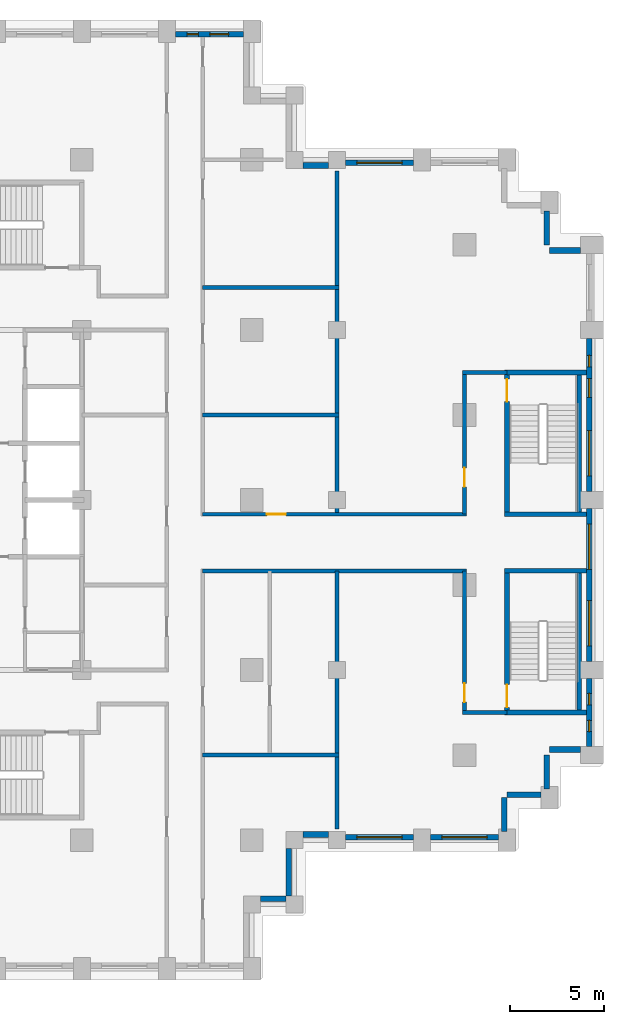
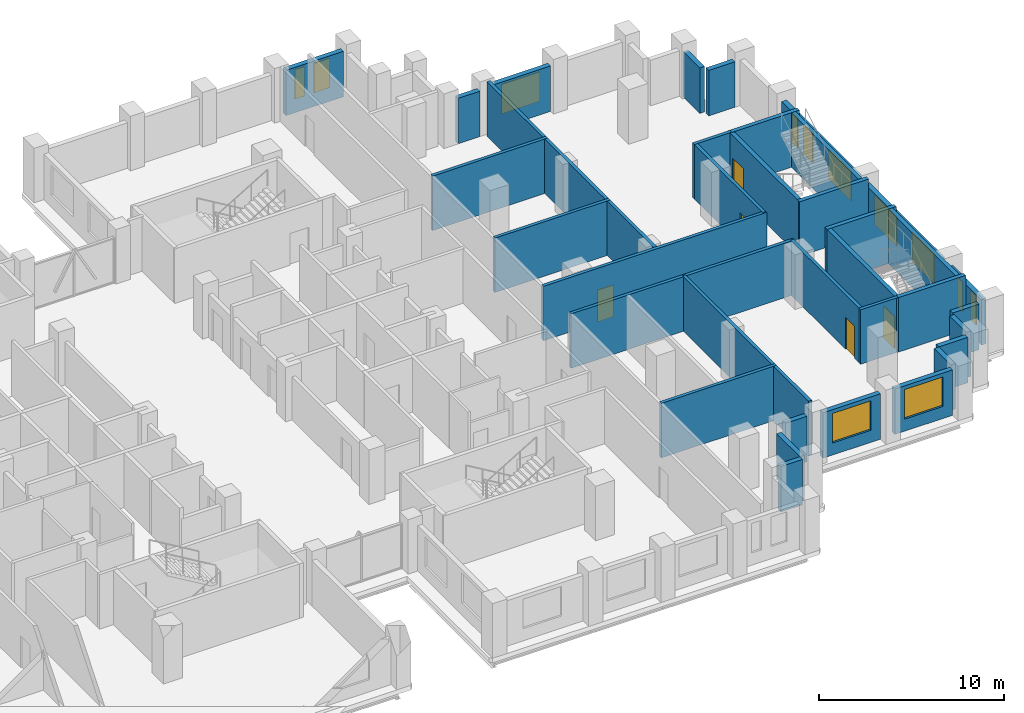
# One storey, part 12 of 16: 36 walls, 12 windows, 5 doors, 17 openings.
"""IFC4 building model written with IfcOpenShell, lengths in metres."""

from ifc_helpers import new_model, si_unit, direction, frame, frame_2d, origin, place, context, subcontext, project, spatial, rectangle, extrude, material, layer, layer_set, type_object, element, fill, save


model = new_model("IFC4")

# Units and contexts
model_context = context("Model", 3, precision=1e-05, world=origin(), true_north=direction((0.0, 1.0)))
body_context = subcontext(model_context, "Body", "Model", "MODEL_VIEW")
ifc_project = project(units=[si_unit("LENGTHUNIT", "METRE"), si_unit("AREAUNIT", "SQUARE_METRE"), si_unit("VOLUMEUNIT", "CUBIC_METRE"), si_unit("PLANEANGLEUNIT", "RADIAN"), si_unit("MASSUNIT", "GRAM", prefix="KILO")], contexts=[model_context])

# Site, building, storey
site_placement = place(None, origin())
site = spatial("IfcSite", under=ifc_project, at=site_placement, CompositionType="ELEMENT")
building_placement = place(site_placement, origin())
building = spatial("IfcBuilding", under=site, at=building_placement, Name="Corbelhall Arena Tower", CompositionType="ELEMENT")
storey_placement = place(building_placement, frame((0.0, 0.0, 116.0)))
storey = spatial("IfcBuildingStorey", under=building, at=storey_placement, Name="L21", CompositionType="ELEMENT", Elevation=116.0)

# Walls
ifc_material_1 = material(Name="Precast concrete C40/50 with granite facing", Category="masonry")
ifc_layer_1 = layer(ifc_material_1, 0.300048828125)
ifc_layer_set_1 = layer_set([ifc_layer_1], Name="EV-IW1 Infill panel 300")
wall_type_1 = type_object("IfcWallType", Name="EV-IW1 Infill panel 300", PredefinedType="SOLIDWALL", material=ifc_layer_set_1)
for number, where, z_axis, x_axis, name in (
    (1, (35.85009765625, -17.550048828125, 0.0), (0.0, 0.0, 1.0), (0.0, 1.0, 0.0), "Infill panel IW1"),
    (2, (37.800048828125, -15.60009765625, 0.0), (0.0, 0.0, 1.0), (-1.0, 0.0, 0.0), "Infill panel IW1"),
    (3, (38.10009765625, -15.300048828125, 0.0), (0.0, 0.0, 1.0), (0.0, 1.0, 0.0), "Infill panel IW1"),
):
    element("IfcWall", number, at=place(storey_placement, frame(where, z_axis=z_axis, x_axis=x_axis)), inside=storey, type_object=wall_type_1, Name=name, PredefinedType="SOLIDWALL", context=body_context, shape_type="SweptSolid", body=[
        extrude(rectangle(XDim=1.800048828125, YDim=0.300048828125, at=frame_2d((0.89990234375, 0.0))), origin(), (0.0, 0.0, 1.0), 2.99951171875),
    ])
for number, where, z_axis, x_axis, name in (
    (4, (39.89990234375, -13.199951171875, 0.0), (0.0, 0.0, 1.0), (-1.0, 0.0, 0.0), "Infill panel IW1"),
    (5, (39.89990234375, 13.199951171875, 0.0), (0.0, 0.0, 1.0), (-1.0, 0.0, 0.0), "Infill panel IW1"),
):
    element("IfcWall", number, at=place(storey_placement, frame(where, z_axis=z_axis, x_axis=x_axis)), inside=storey, type_object=wall_type_1, Name=name, PredefinedType="SOLIDWALL", context=body_context, shape_type="SweptSolid", body=[
        extrude(rectangle(XDim=1.64990234375, YDim=0.300048828125, at=frame_2d((0.824951171875, 0.0))), origin(), (0.0, 0.0, 1.0), 2.99951171875),
    ])
wall_1_placement = place(storey_placement, frame((38.10009765625, 15.300048828125, 0.0), z_axis=(0.0, 0.0, 1.0), x_axis=(0.0, -1.0, 0.0)))
element("IfcWall", 6, at=wall_1_placement, inside=storey, type_object=wall_type_1, Name="Infill panel IW1", PredefinedType="SOLIDWALL", context=body_context, shape_type="SweptSolid", body=[
    extrude(rectangle(XDim=1.800048828125, YDim=0.300048828125, at=frame_2d((0.89990234375, 0.0))), origin(), (0.0, 0.0, 1.0), 2.99951171875),
])
wall_2_placement = place(storey_placement, frame((22.949951171875, -21.10009765625, 0.0), z_axis=(0.0, 0.0, 1.0), x_axis=(1.0, 0.0, 0.0)))
element("IfcWall", 7, at=wall_2_placement, inside=storey, type_object=wall_type_1, Name="Infill panel IW1", PredefinedType="SOLIDWALL", context=body_context, shape_type="SweptSolid", body=[
    extrude(rectangle(XDim=1.35009765625, YDim=0.300048828125, at=frame_2d((0.675048828125, 0.0))), origin(), (0.0, 0.0, 1.0), 2.99951171875),
])
wall_3_placement = place(storey_placement, frame((24.449951171875, -20.949951171875, 0.0), z_axis=(0.0, 0.0, 1.0), x_axis=(0.0, 1.0, 0.0)))
element("IfcWall", 8, at=wall_3_placement, inside=storey, type_object=wall_type_1, Name="Infill panel IW1", PredefinedType="SOLIDWALL", context=body_context, shape_type="SweptSolid", body=[
    extrude(rectangle(XDim=2.5, YDim=0.300048828125, at=frame_2d((1.25, 0.0))), origin(), (0.0, 0.0, 1.0), 2.99951171875),
])
wall_4_placement = place(storey_placement, frame((25.199951171875, -17.699951171875, 0.0), z_axis=(0.0, 0.0, 1.0), x_axis=(1.0, 0.0, 0.0)))
element("IfcWall", 9, at=wall_4_placement, inside=storey, type_object=wall_type_1, Name="Infill panel IW1", PredefinedType="SOLIDWALL", context=body_context, shape_type="SweptSolid", body=[
    extrude(rectangle(XDim=1.35009765625, YDim=0.300048828125, at=frame_2d((0.675048828125, 0.0))), origin(), (0.0, 0.0, 1.0), 2.99951171875),
])

# Wall, opening, window
wall_5_placement = place(storey_placement, frame((27.449951171875, -17.85009765625, 0.0), z_axis=(0.0, 0.0, 1.0), x_axis=(1.0, 0.0, 0.0)))
wall_5 = element("IfcWall", 10, at=wall_5_placement, inside=storey, type_object=wall_type_1, Name="Infill panel IW1", PredefinedType="SOLIDWALL", context=body_context, shape_type="SweptSolid", body=[
    extrude(rectangle(XDim=3.60009765625, YDim=0.300048828125, at=frame_2d((1.800048828125, 0.0))), origin(), (0.0, 0.0, 1.0), 2.99951171875),
])
opening_1_placement = place(wall_5_placement, frame((0.60009765625, 0.0, 0.800048828125)))
opening_1 = element("IfcOpeningElement", 11, at=opening_1_placement, cuts=wall_5, Name="Opening WN1", PredefinedType="OPENING", context=body_context, shape_type="SweptSolid", body=[
    extrude(rectangle(XDim=2.39990234375, YDim=1.949951171875, at=frame_2d((1.199951171875, 0.97509765625))), frame((0.0, 0.14990234375, 0.0), z_axis=(0.0, -1.0, 0.0), x_axis=(1.0, 0.0, 0.0)), (0.0, 0.0, 1.0), 0.300048828125),
])
ifc_material_2 = material(Name="Aluminium black anodised", Category="aluminium")
window_type_1 = type_object("IfcWindowType", Name="EV-WN1 Office window", PartitioningType="SINGLE_PANEL", PredefinedType="WINDOW", material=ifc_material_2)
window_1_placement = place(opening_1_placement, origin())
window_1 = element("IfcWindow", 12, at=window_1_placement, inside=storey, type_object=window_type_1, Name="Window WN1", OverallHeight=1.949951171875, OverallWidth=2.39990234375, PartitioningType="SINGLE_PANEL", PredefinedType="WINDOW", context=body_context, shape_type="SweptSolid", body=[
    extrude(rectangle(XDim=2.39990234375, YDim=1.949951171875, at=frame_2d((1.199951171875, 0.97509765625))), frame((0.0, 0.030029296875, 0.0), z_axis=(0.0, -1.0, 0.0), x_axis=(1.0, 0.0, 0.0)), (0.0, 0.0, 1.0), 0.06005859375),
])
fill(opening_1, window_1)

wall_6_placement = place(storey_placement, frame((31.949951171875, -17.85009765625, 0.0), z_axis=(0.0, 0.0, 1.0), x_axis=(1.0, 0.0, 0.0)))
wall_6 = element("IfcWall", 13, at=wall_6_placement, inside=storey, type_object=wall_type_1, Name="Infill panel IW1", PredefinedType="SOLIDWALL", context=body_context, shape_type="SweptSolid", body=[
    extrude(rectangle(XDim=3.60009765625, YDim=0.300048828125, at=frame_2d((1.800048828125, 0.0))), origin(), (0.0, 0.0, 1.0), 2.99951171875),
])
opening_2_placement = place(wall_6_placement, frame((0.60009765625, 0.0, 0.800048828125)))
opening_2 = element("IfcOpeningElement", 14, at=opening_2_placement, cuts=wall_6, Name="Opening WN1", PredefinedType="OPENING", context=body_context, shape_type="SweptSolid", body=[
    extrude(rectangle(XDim=2.39990234375, YDim=1.949951171875, at=frame_2d((1.199951171875, 0.97509765625))), frame((0.0, 0.14990234375, 0.0), z_axis=(0.0, -1.0, 0.0), x_axis=(1.0, 0.0, 0.0)), (0.0, 0.0, 1.0), 0.300048828125),
])
window_2_placement = place(opening_2_placement, origin())
window_2 = element("IfcWindow", 15, at=window_2_placement, inside=storey, type_object=window_type_1, Name="Window WN1", OverallHeight=1.949951171875, OverallWidth=2.39990234375, PartitioningType="SINGLE_PANEL", PredefinedType="WINDOW", context=body_context, shape_type="SweptSolid", body=[
    extrude(rectangle(XDim=2.39990234375, YDim=1.949951171875, at=frame_2d((1.199951171875, 0.97509765625))), frame((0.0, 0.030029296875, 0.0), z_axis=(0.0, -1.0, 0.0), x_axis=(1.0, 0.0, 0.0)), (0.0, 0.0, 1.0), 0.06005859375),
])
fill(opening_2, window_2)

# Wall, openings, windows
wall_7_placement = place(storey_placement, frame((40.35009765625, -13.050048828125, 0.0), z_axis=(0.0, 0.0, 1.0), x_axis=(0.0, 1.0, 0.0)))
wall_7 = element("IfcWall", 16, at=wall_7_placement, inside=storey, type_object=wall_type_1, Name="Infill panel IW1", PredefinedType="SOLIDWALL", context=body_context, shape_type="SweptSolid", body=[
    extrude(rectangle(XDim=3.60009765625, YDim=0.300048828125, at=frame_2d((1.800048828125, 0.0))), origin(), (0.0, 0.0, 1.0), 2.99951171875),
])
opening_3_placement = place(wall_7_placement, frame((0.78759765625, 0.0, 0.800048828125)))
opening_3 = element("IfcOpeningElement", 17, at=opening_3_placement, cuts=wall_7, Name="Opening WN5", PredefinedType="OPENING", context=body_context, shape_type="SweptSolid", body=[
    extrude(rectangle(XDim=0.60009765625, YDim=1.949951171875, at=frame_2d((0.300048828125, 0.97509765625))), frame((0.0, 0.14990234375, 0.0), z_axis=(0.0, -1.0, 0.0), x_axis=(1.0, 0.0, 0.0)), (0.0, 0.0, 1.0), 0.300048828125),
])
opening_4_placement = place(wall_7_placement, frame((2.21240234375, 0.0, 0.800048828125)))
opening_4 = element("IfcOpeningElement", 18, at=opening_4_placement, cuts=wall_7, Name="Opening WN5", PredefinedType="OPENING", context=body_context, shape_type="SweptSolid", body=[
    extrude(rectangle(XDim=0.60009765625, YDim=1.949951171875, at=frame_2d((0.300048828125, 0.97509765625))), frame((0.0, 0.14990234375, 0.0), z_axis=(0.0, -1.0, 0.0), x_axis=(1.0, 0.0, 0.0)), (0.0, 0.0, 1.0), 0.300048828125),
])
window_type_2 = type_object("IfcWindowType", Name="EV-WN5 Office window 600", PartitioningType="SINGLE_PANEL", PredefinedType="WINDOW", material=ifc_material_2)
window_3_placement = place(opening_3_placement, origin())
window_3 = element("IfcWindow", 19, at=window_3_placement, inside=storey, type_object=window_type_2, Name="Window WN5", OverallHeight=1.949951171875, OverallWidth=0.60009765625, PartitioningType="SINGLE_PANEL", PredefinedType="WINDOW", context=body_context, shape_type="SweptSolid", body=[
    extrude(rectangle(XDim=0.60009765625, YDim=1.949951171875, at=frame_2d((0.300048828125, 0.97509765625))), frame((0.0, 0.030029296875, 0.0), z_axis=(0.0, -1.0, 0.0), x_axis=(1.0, 0.0, 0.0)), (0.0, 0.0, 1.0), 0.06005859375),
])
fill(opening_3, window_3)
window_4_placement = place(opening_4_placement, origin())
window_4 = element("IfcWindow", 20, at=window_4_placement, inside=storey, type_object=window_type_2, Name="Window WN5", OverallHeight=1.949951171875, OverallWidth=0.60009765625, PartitioningType="SINGLE_PANEL", PredefinedType="WINDOW", context=body_context, shape_type="SweptSolid", body=[
    extrude(rectangle(XDim=0.60009765625, YDim=1.949951171875, at=frame_2d((0.300048828125, 0.97509765625))), frame((0.0, 0.030029296875, 0.0), z_axis=(0.0, -1.0, 0.0), x_axis=(1.0, 0.0, 0.0)), (0.0, 0.0, 1.0), 0.06005859375),
])
fill(opening_4, window_4)

wall_8_placement = place(storey_placement, frame((40.35009765625, -8.550048828125, 0.0), z_axis=(0.0, 0.0, 1.0), x_axis=(0.0, 1.0, 0.0)))
wall_8 = element("IfcWall", 21, at=wall_8_placement, inside=storey, type_object=wall_type_1, Name="Infill panel IW1", PredefinedType="SOLIDWALL", context=body_context, shape_type="SweptSolid", body=[
    extrude(rectangle(XDim=8.10009765625, YDim=0.300048828125, at=frame_2d((4.050048828125, 0.0))), origin(), (0.0, 0.0, 1.0), 2.99951171875),
])
opening_5_placement = place(wall_8_placement, frame((0.824951171875, 0.0, 0.800048828125)))
opening_5 = element("IfcOpeningElement", 22, at=opening_5_placement, cuts=wall_8, Name="Opening WN1", PredefinedType="OPENING", context=body_context, shape_type="SweptSolid", body=[
    extrude(rectangle(XDim=2.39990234375, YDim=1.949951171875, at=frame_2d((1.199951171875, 0.97509765625))), frame((0.0, 0.14990234375, 0.0), z_axis=(0.0, -1.0, 0.0), x_axis=(1.0, 0.0, 0.0)), (0.0, 0.0, 1.0), 0.300048828125),
])
opening_6_placement = place(wall_8_placement, frame((4.875, 0.0, 0.800048828125)))
opening_6 = element("IfcOpeningElement", 23, at=opening_6_placement, cuts=wall_8, Name="Opening WN1", PredefinedType="OPENING", context=body_context, shape_type="SweptSolid", body=[
    extrude(rectangle(XDim=2.39990234375, YDim=1.949951171875, at=frame_2d((1.199951171875, 0.97509765625))), frame((0.0, 0.14990234375, 0.0), z_axis=(0.0, -1.0, 0.0), x_axis=(1.0, 0.0, 0.0)), (0.0, 0.0, 1.0), 0.300048828125),
])
window_5_placement = place(opening_5_placement, origin())
window_5 = element("IfcWindow", 24, at=window_5_placement, inside=storey, type_object=window_type_1, Name="Window WN1", OverallHeight=1.949951171875, OverallWidth=2.39990234375, PartitioningType="SINGLE_PANEL", PredefinedType="WINDOW", context=body_context, shape_type="SweptSolid", body=[
    extrude(rectangle(XDim=2.39990234375, YDim=1.949951171875, at=frame_2d((1.199951171875, 0.97509765625))), frame((0.0, 0.030029296875, 0.0), z_axis=(0.0, -1.0, 0.0), x_axis=(1.0, 0.0, 0.0)), (0.0, 0.0, 1.0), 0.06005859375),
])
fill(opening_5, window_5)
window_6_placement = place(opening_6_placement, origin())
window_6 = element("IfcWindow", 25, at=window_6_placement, inside=storey, type_object=window_type_1, Name="Window WN1", OverallHeight=1.949951171875, OverallWidth=2.39990234375, PartitioningType="SINGLE_PANEL", PredefinedType="WINDOW", context=body_context, shape_type="SweptSolid", body=[
    extrude(rectangle(XDim=2.39990234375, YDim=1.949951171875, at=frame_2d((1.199951171875, 0.97509765625))), frame((0.0, 0.030029296875, 0.0), z_axis=(0.0, -1.0, 0.0), x_axis=(1.0, 0.0, 0.0)), (0.0, 0.0, 1.0), 0.06005859375),
])
fill(opening_6, window_6)

wall_9_placement = place(storey_placement, frame((40.35009765625, 0.449951171875, 0.0), z_axis=(0.0, 0.0, 1.0), x_axis=(0.0, 1.0, 0.0)))
wall_9 = element("IfcWall", 26, at=wall_9_placement, inside=storey, type_object=wall_type_1, Name="Infill panel IW1", PredefinedType="SOLIDWALL", context=body_context, shape_type="SweptSolid", body=[
    extrude(rectangle(XDim=8.10009765625, YDim=0.300048828125, at=frame_2d((4.050048828125, 0.0))), origin(), (0.0, 0.0, 1.0), 2.99951171875),
])
opening_7_placement = place(wall_9_placement, frame((0.824951171875, 0.0, 0.800048828125)))
opening_7 = element("IfcOpeningElement", 27, at=opening_7_placement, cuts=wall_9, Name="Opening WN1", PredefinedType="OPENING", context=body_context, shape_type="SweptSolid", body=[
    extrude(rectangle(XDim=2.39990234375, YDim=1.949951171875, at=frame_2d((1.199951171875, 0.97509765625))), frame((0.0, 0.14990234375, 0.0), z_axis=(0.0, -1.0, 0.0), x_axis=(1.0, 0.0, 0.0)), (0.0, 0.0, 1.0), 0.300048828125),
])
opening_8_placement = place(wall_9_placement, frame((4.97509765625, 0.0, 0.800048828125)))
opening_8 = element("IfcOpeningElement", 28, at=opening_8_placement, cuts=wall_9, Name="Opening WN6", PredefinedType="OPENING", context=body_context, shape_type="SweptSolid", body=[
    extrude(rectangle(XDim=1.0, YDim=1.949951171875, at=frame_2d((0.5, 0.97509765625))), frame((0.0, 0.14990234375, 0.0), z_axis=(0.0, -1.0, 0.0), x_axis=(1.0, 0.0, 0.0)), (0.0, 0.0, 1.0), 0.300048828125),
])
opening_9_placement = place(wall_9_placement, frame((6.60009765625, 0.0, 0.800048828125)))
opening_9 = element("IfcOpeningElement", 29, at=opening_9_placement, cuts=wall_9, Name="Opening WN5", PredefinedType="OPENING", context=body_context, shape_type="SweptSolid", body=[
    extrude(rectangle(XDim=0.60009765625, YDim=1.949951171875, at=frame_2d((0.300048828125, 0.97509765625))), frame((0.0, 0.14990234375, 0.0), z_axis=(0.0, -1.0, 0.0), x_axis=(1.0, 0.0, 0.0)), (0.0, 0.0, 1.0), 0.300048828125),
])
window_7_placement = place(opening_7_placement, origin())
window_7 = element("IfcWindow", 30, at=window_7_placement, inside=storey, type_object=window_type_1, Name="Window WN1", OverallHeight=1.949951171875, OverallWidth=2.39990234375, PartitioningType="SINGLE_PANEL", PredefinedType="WINDOW", context=body_context, shape_type="SweptSolid", body=[
    extrude(rectangle(XDim=2.39990234375, YDim=1.949951171875, at=frame_2d((1.199951171875, 0.97509765625))), frame((0.0, 0.030029296875, 0.0), z_axis=(0.0, -1.0, 0.0), x_axis=(1.0, 0.0, 0.0)), (0.0, 0.0, 1.0), 0.06005859375),
])
fill(opening_7, window_7)
window_8_placement = place(opening_9_placement, origin())
window_8 = element("IfcWindow", 31, at=window_8_placement, inside=storey, type_object=window_type_2, Name="Window WN5", OverallHeight=1.949951171875, OverallWidth=0.60009765625, PartitioningType="SINGLE_PANEL", PredefinedType="WINDOW", context=body_context, shape_type="SweptSolid", body=[
    extrude(rectangle(XDim=0.60009765625, YDim=1.949951171875, at=frame_2d((0.300048828125, 0.97509765625))), frame((0.0, 0.030029296875, 0.0), z_axis=(0.0, -1.0, 0.0), x_axis=(1.0, 0.0, 0.0)), (0.0, 0.0, 1.0), 0.06005859375),
])
fill(opening_9, window_8)
window_type_3 = type_object("IfcWindowType", Name="EV-WN6 Office window 1000", PartitioningType="SINGLE_PANEL", PredefinedType="WINDOW", material=ifc_material_2)
window_9_placement = place(opening_8_placement, origin())
window_9 = element("IfcWindow", 32, at=window_9_placement, inside=storey, type_object=window_type_3, Name="Window WN6", OverallHeight=1.949951171875, OverallWidth=1.0, PartitioningType="SINGLE_PANEL", PredefinedType="WINDOW", context=body_context, shape_type="SweptSolid", body=[
    extrude(rectangle(XDim=1.0, YDim=1.949951171875, at=frame_2d((0.5, 0.97509765625))), frame((0.0, 0.030029296875, 0.0), z_axis=(0.0, -1.0, 0.0), x_axis=(1.0, 0.0, 0.0)), (0.0, 0.0, 1.0), 0.06005859375),
])
fill(opening_8, window_9)

# Wall, opening, window
wall_10_placement = place(storey_placement, frame((31.050048828125, 17.85009765625, 0.0), z_axis=(0.0, 0.0, 1.0), x_axis=(-1.0, 0.0, 0.0)))
wall_10 = element("IfcWall", 33, at=wall_10_placement, inside=storey, type_object=wall_type_1, Name="Infill panel IW1", PredefinedType="SOLIDWALL", context=body_context, shape_type="SweptSolid", body=[
    extrude(rectangle(XDim=3.60009765625, YDim=0.300048828125, at=frame_2d((1.800048828125, 0.0))), origin(), (0.0, 0.0, 1.0), 2.99951171875),
])
opening_10_placement = place(wall_10_placement, frame((0.60009765625, 0.0, 0.800048828125)))
opening_10 = element("IfcOpeningElement", 34, at=opening_10_placement, cuts=wall_10, Name="Opening WN1", PredefinedType="OPENING", context=body_context, shape_type="SweptSolid", body=[
    extrude(rectangle(XDim=2.39990234375, YDim=1.949951171875, at=frame_2d((1.199951171875, 0.97509765625))), frame((0.0, 0.14990234375, 0.0), z_axis=(0.0, -1.0, 0.0), x_axis=(1.0, 0.0, 0.0)), (0.0, 0.0, 1.0), 0.300048828125),
])
window_10_placement = place(opening_10_placement, origin())
window_10 = element("IfcWindow", 35, at=window_10_placement, inside=storey, type_object=window_type_1, Name="Window WN1", OverallHeight=1.949951171875, OverallWidth=2.39990234375, PartitioningType="SINGLE_PANEL", PredefinedType="WINDOW", context=body_context, shape_type="SweptSolid", body=[
    extrude(rectangle(XDim=2.39990234375, YDim=1.949951171875, at=frame_2d((1.199951171875, 0.97509765625))), frame((0.0, 0.030029296875, 0.0), z_axis=(0.0, -1.0, 0.0), x_axis=(1.0, 0.0, 0.0)), (0.0, 0.0, 1.0), 0.06005859375),
])
fill(opening_10, window_10)

# Wall
wall_11_placement = place(storey_placement, frame((26.550048828125, 17.699951171875, 0.0), z_axis=(0.0, 0.0, 1.0), x_axis=(-1.0, 0.0, 0.0)))
element("IfcWall", 36, at=wall_11_placement, inside=storey, type_object=wall_type_1, Name="Infill panel IW1", PredefinedType="SOLIDWALL", context=body_context, shape_type="SweptSolid", body=[
    extrude(rectangle(XDim=1.35009765625, YDim=0.300048828125, at=frame_2d((0.675048828125, 0.0))), origin(), (0.0, 0.0, 1.0), 2.99951171875),
])

# Wall, openings, windows
wall_12_placement = place(storey_placement, frame((22.050048828125, 24.64990234375, 0.0), z_axis=(0.0, 0.0, 1.0), x_axis=(-1.0, 0.0, 0.0)))
wall_12 = element("IfcWall", 37, at=wall_12_placement, inside=storey, type_object=wall_type_1, Name="Infill panel IW1", PredefinedType="SOLIDWALL", context=body_context, shape_type="SweptSolid", body=[
    extrude(rectangle(XDim=3.60009765625, YDim=0.300048828125, at=frame_2d((1.800048828125, 0.0))), origin(), (0.0, 0.0, 1.0), 2.99951171875),
])
opening_11_placement = place(wall_12_placement, frame((0.77490234375, 0.0, 0.800048828125)))
opening_11 = element("IfcOpeningElement", 38, at=opening_11_placement, cuts=wall_12, Name="Opening WN6", PredefinedType="OPENING", context=body_context, shape_type="SweptSolid", body=[
    extrude(rectangle(XDim=1.0, YDim=1.949951171875, at=frame_2d((0.5, 0.97509765625))), frame((0.0, 0.14990234375, 0.0), z_axis=(0.0, -1.0, 0.0), x_axis=(1.0, 0.0, 0.0)), (0.0, 0.0, 1.0), 0.300048828125),
])
opening_12_placement = place(wall_12_placement, frame((2.375, 0.0, 0.800048828125)))
opening_12 = element("IfcOpeningElement", 39, at=opening_12_placement, cuts=wall_12, Name="Opening WN5", PredefinedType="OPENING", context=body_context, shape_type="SweptSolid", body=[
    extrude(rectangle(XDim=0.60009765625, YDim=1.949951171875, at=frame_2d((0.300048828125, 0.97509765625))), frame((0.0, 0.14990234375, 0.0), z_axis=(0.0, -1.0, 0.0), x_axis=(1.0, 0.0, 0.0)), (0.0, 0.0, 1.0), 0.300048828125),
])
window_11_placement = place(opening_12_placement, origin())
window_11 = element("IfcWindow", 40, at=window_11_placement, inside=storey, type_object=window_type_2, Name="Window WN5", OverallHeight=1.949951171875, OverallWidth=0.60009765625, PartitioningType="SINGLE_PANEL", PredefinedType="WINDOW", context=body_context, shape_type="SweptSolid", body=[
    extrude(rectangle(XDim=0.60009765625, YDim=1.949951171875, at=frame_2d((0.300048828125, 0.97509765625))), frame((0.0, 0.030029296875, 0.0), z_axis=(0.0, -1.0, 0.0), x_axis=(1.0, 0.0, 0.0)), (0.0, 0.0, 1.0), 0.06005859375),
])
fill(opening_12, window_11)
window_12_placement = place(opening_11_placement, origin())
window_12 = element("IfcWindow", 41, at=window_12_placement, inside=storey, type_object=window_type_3, Name="Window WN6", OverallHeight=1.949951171875, OverallWidth=1.0, PartitioningType="SINGLE_PANEL", PredefinedType="WINDOW", context=body_context, shape_type="SweptSolid", body=[
    extrude(rectangle(XDim=1.0, YDim=1.949951171875, at=frame_2d((0.5, 0.97509765625))), frame((0.0, 0.030029296875, 0.0), z_axis=(0.0, -1.0, 0.0), x_axis=(1.0, 0.0, 0.0)), (0.0, 0.0, 1.0), 0.06005859375),
])
fill(opening_11, window_12)

# Wall
ifc_material_3 = material(Name="Gypsum board on steel stud, acoustic", Category="steel")
ifc_layer_2 = layer(ifc_material_3, 0.199951171875)
ifc_layer_set_2 = layer_set([ifc_layer_2], Name="IN-W-DM200")
wall_type_2 = type_object("IfcWallType", Name="IN-W-DM200", PredefinedType="PARTITIONING", material=ifc_layer_set_2)
wall_13_placement = place(storey_placement, frame((19.89990234375, -13.5, 0.0), z_axis=(0.0, 0.0, 1.0), x_axis=(1.0, 0.0, 0.0)))
element("IfcWall", 42, at=wall_13_placement, inside=storey, type_object=wall_type_2, Name="Partition 049", PredefinedType="PARTITIONING", context=body_context, shape_type="SweptSolid", body=[
    extrude(rectangle(XDim=7.2001953125, YDim=0.199951171875, at=frame_2d((3.60009765625, 0.0))), origin(), (0.0, 0.0, 1.0), 3.599609375),
])

# Wall, opening, door
wall_14_placement = place(storey_placement, frame((19.89990234375, -0.75, 0.0), z_axis=(0.0, 0.0, 1.0), x_axis=(1.0, 0.0, 0.0)))
wall_14 = element("IfcWall", 43, at=wall_14_placement, inside=storey, type_object=wall_type_2, Name="Partition 051", PredefinedType="PARTITIONING", context=body_context, shape_type="SweptSolid", body=[
    extrude(rectangle(XDim=13.9501953125, YDim=0.199951171875, at=frame_2d((6.97509765625, 0.0))), origin(), (0.0, 0.0, 1.0), 3.599609375),
])
opening_13_placement = place(wall_14_placement, frame((3.39990234375, 0.0, 0.0)))
opening_13 = element("IfcOpeningElement", 44, at=opening_13_placement, cuts=wall_14, Name="Opening 05038", PredefinedType="OPENING", context=body_context, shape_type="SweptSolid", body=[
    extrude(rectangle(XDim=1.0, YDim=2.10009765625, at=frame_2d((0.5, 1.050048828125))), frame((0.0, 0.10009765625, 0.0), z_axis=(0.0, -1.0, 0.0), x_axis=(1.0, 0.0, 0.0)), (0.0, 0.0, 1.0), 0.199951171875),
])
ifc_material_4 = material(Name="Steel door set", Category="steel")
door_type_1 = type_object("IfcDoorType", Name="IN-D-SW100", OperationType="NOTDEFINED", PredefinedType="DOOR", material=ifc_material_4)
door_1_placement = place(opening_13_placement, origin())
door_1 = element("IfcDoor", 45, at=door_1_placement, inside=storey, type_object=door_type_1, Name="Door 038", OperationType="SINGLE_SWING_LEFT", OverallHeight=2.10009765625, OverallWidth=1.0, PredefinedType="DOOR", context=body_context, shape_type="SweptSolid", body=[
    extrude(rectangle(XDim=1.0, YDim=2.10009765625, at=frame_2d((0.5, 1.050048828125))), frame((0.0, 0.02490234375, 0.0), z_axis=(0.0, -1.0, 0.0), x_axis=(1.0, 0.0, 0.0)), (0.0, 0.0, 1.0), 0.050048828125),
])
fill(opening_13, door_1)

# Walls
for number, where, z_axis, x_axis, name in (
    (46, (19.89990234375, 4.5, 0.0), (0.0, 0.0, 1.0), (1.0, 0.0, 0.0), "Partition 052"),
    (47, (19.89990234375, 11.25, 0.0), (0.0, 0.0, 1.0), (1.0, 0.0, 0.0), "Partition 054"),
):
    element("IfcWall", number, at=place(storey_placement, frame(where, z_axis=z_axis, x_axis=x_axis)), inside=storey, type_object=wall_type_2, Name=name, PredefinedType="PARTITIONING", context=body_context, shape_type="SweptSolid", body=[
        extrude(rectangle(XDim=7.2001953125, YDim=0.199951171875, at=frame_2d((3.60009765625, 0.0))), origin(), (0.0, 0.0, 1.0), 3.599609375),
    ])
wall_15_placement = place(storey_placement, frame((33.85009765625, -3.75, 0.0), z_axis=(0.0, 0.0, 1.0), x_axis=(-1.0, 0.0, 0.0)))
element("IfcWall", 48, at=wall_15_placement, inside=storey, type_object=wall_type_2, Name="Partition 057", PredefinedType="PARTITIONING", context=body_context, shape_type="SweptSolid", body=[
    extrude(rectangle(XDim=13.9501953125, YDim=0.199951171875, at=frame_2d((6.97509765625, 0.0))), origin(), (0.0, 0.0, 1.0), 3.599609375),
])
wall_16_placement = place(storey_placement, frame((27.0, -3.75, 0.0), z_axis=(0.0, 0.0, 1.0), x_axis=(0.0, -1.0, 0.0)))
element("IfcWall", 49, at=wall_16_placement, inside=storey, type_object=wall_type_2, Name="Partition 058", PredefinedType="PARTITIONING", context=body_context, shape_type="SweptSolid", body=[
    extrude(rectangle(XDim=13.64990234375, YDim=0.199951171875, at=frame_2d((6.824951171875, 0.0))), origin(), (0.0, 0.0, 1.0), 3.599609375),
])
wall_17_placement = place(storey_placement, frame((27.0, 17.39990234375, 0.0), z_axis=(0.0, 0.0, 1.0), x_axis=(0.0, -1.0, 0.0)))
element("IfcWall", 50, at=wall_17_placement, inside=storey, type_object=wall_type_2, Name="Partition 059", PredefinedType="PARTITIONING", context=body_context, shape_type="SweptSolid", body=[
    extrude(rectangle(XDim=18.14990234375, YDim=0.199951171875, at=frame_2d((9.074951171875, 0.0))), origin(), (0.0, 0.0, 1.0), 3.599609375),
])
wall_18_placement = place(storey_placement, frame((33.64990234375, 6.75, 0.0), z_axis=(0.0, 0.0, 1.0), x_axis=(1.0, 0.0, 0.0)))
element("IfcWall", 51, at=wall_18_placement, inside=storey, type_object=wall_type_2, Name="Partition 060", PredefinedType="PARTITIONING", context=body_context, shape_type="SweptSolid", body=[
    extrude(rectangle(XDim=2.35009765625, YDim=0.199951171875, at=frame_2d((1.175048828125, 0.0))), origin(), (0.0, 0.0, 1.0), 3.599609375),
])

# Wall, opening, door
wall_19_placement = place(storey_placement, frame((33.75, -11.25, 0.0), z_axis=(0.0, 0.0, 1.0), x_axis=(0.0, 1.0, 0.0)))
wall_19 = element("IfcWall", 52, at=wall_19_placement, inside=storey, type_object=wall_type_2, Name="Partition 061", PredefinedType="PARTITIONING", context=body_context, shape_type="SweptSolid", body=[
    extrude(rectangle(XDim=7.5, YDim=0.199951171875, at=frame_2d((3.75, 0.0))), origin(), (0.0, 0.0, 1.0), 3.599609375),
])
opening_14_placement = place(wall_19_placement, frame((0.550048828125, 0.0, 0.0)))
opening_14 = element("IfcOpeningElement", 53, at=opening_14_placement, cuts=wall_19, Name="Opening 05048", PredefinedType="OPENING", context=body_context, shape_type="SweptSolid", body=[
    extrude(rectangle(XDim=1.0, YDim=2.10009765625, at=frame_2d((0.5, 1.050048828125))), frame((0.0, 0.10009765625, 0.0), z_axis=(0.0, -1.0, 0.0), x_axis=(1.0, 0.0, 0.0)), (0.0, 0.0, 1.0), 0.199951171875),
])
door_2_placement = place(opening_14_placement, origin())
door_2 = element("IfcDoor", 54, at=door_2_placement, inside=storey, type_object=door_type_1, Name="Door 048", OperationType="SINGLE_SWING_LEFT", OverallHeight=2.10009765625, OverallWidth=1.0, PredefinedType="DOOR", context=body_context, shape_type="SweptSolid", body=[
    extrude(rectangle(XDim=1.0, YDim=2.10009765625, at=frame_2d((0.5, 1.050048828125))), frame((0.0, 0.02490234375, 0.0), z_axis=(0.0, -1.0, 0.0), x_axis=(1.0, 0.0, 0.0)), (0.0, 0.0, 1.0), 0.050048828125),
])
fill(opening_14, door_2)

wall_20_placement = place(storey_placement, frame((33.75, -0.75, 0.0), z_axis=(0.0, 0.0, 1.0), x_axis=(0.0, 1.0, 0.0)))
wall_20 = element("IfcWall", 55, at=wall_20_placement, inside=storey, type_object=wall_type_2, Name="Partition 062", PredefinedType="PARTITIONING", context=body_context, shape_type="SweptSolid", body=[
    extrude(rectangle(XDim=7.5, YDim=0.199951171875, at=frame_2d((3.75, 0.0))), origin(), (0.0, 0.0, 1.0), 3.599609375),
])
opening_15_placement = place(wall_20_placement, frame((1.449951171875, 0.0, 0.0)))
opening_15 = element("IfcOpeningElement", 56, at=opening_15_placement, cuts=wall_20, Name="Opening 05047", PredefinedType="OPENING", context=body_context, shape_type="SweptSolid", body=[
    extrude(rectangle(XDim=1.0, YDim=2.10009765625, at=frame_2d((0.5, 1.050048828125))), frame((0.0, 0.10009765625, 0.0), z_axis=(0.0, -1.0, 0.0), x_axis=(1.0, 0.0, 0.0)), (0.0, 0.0, 1.0), 0.199951171875),
])
door_3_placement = place(opening_15_placement, origin())
door_3 = element("IfcDoor", 57, at=door_3_placement, inside=storey, type_object=door_type_1, Name="Door 047", OperationType="SINGLE_SWING_RIGHT", OverallHeight=2.10009765625, OverallWidth=1.0, PredefinedType="DOOR", context=body_context, shape_type="SweptSolid", body=[
    extrude(rectangle(XDim=1.0, YDim=2.10009765625, at=frame_2d((0.5, 1.050048828125))), frame((0.0, 0.02490234375, 0.0), z_axis=(0.0, -1.0, 0.0), x_axis=(1.0, 0.0, 0.0)), (0.0, 0.0, 1.0), 0.050048828125),
])
fill(opening_15, door_3)

# Walls
wall_21_placement = place(storey_placement, frame((36.0, -11.25, 0.0), z_axis=(0.0, 0.0, 1.0), x_axis=(-1.0, 0.0, 0.0)))
element("IfcWall", 58, at=wall_21_placement, inside=storey, type_object=wall_type_2, Name="Partition 063", PredefinedType="PARTITIONING", context=body_context, shape_type="SweptSolid", body=[
    extrude(rectangle(XDim=2.35009765625, YDim=0.199951171875, at=frame_2d((1.175048828125, 0.0))), origin(), (0.0, 0.0, 1.0), 3.599609375),
])
ifc_material_5 = material(Name="Concrete C40/50", Category="concrete")
ifc_layer_3 = layer(ifc_material_5, 0.25)
ifc_layer_set_3 = layer_set([ifc_layer_3], Name="IN-W-ST250")
wall_type_3 = type_object("IfcWallType", Name="IN-W-ST250", PredefinedType="SOLIDWALL", material=ifc_layer_set_3)
wall_22_placement = place(storey_placement, frame((35.875, -0.75, 0.0), z_axis=(0.0, 0.0, 1.0), x_axis=(1.0, 0.0, 0.0)))
element("IfcWall", 59, at=wall_22_placement, inside=storey, type_object=wall_type_3, Name="Shaft wall 123", PredefinedType="SOLIDWALL", context=body_context, shape_type="SweptSolid", body=[
    extrude(rectangle(XDim=4.324951171875, YDim=0.25, at=frame_2d((2.16259765625, 0.0))), origin(), (0.0, 0.0, 1.0), 3.599609375),
])

# Wall, opening, door
wall_23_placement = place(storey_placement, frame((36.0, -11.375, 0.0), z_axis=(0.0, 0.0, 1.0), x_axis=(0.0, 1.0, 0.0)))
wall_23 = element("IfcWall", 60, at=wall_23_placement, inside=storey, type_object=wall_type_3, Name="Shaft wall 124", PredefinedType="SOLIDWALL", context=body_context, shape_type="SweptSolid", body=[
    extrude(rectangle(XDim=7.625, YDim=0.25, at=frame_2d((3.8125, 0.0))), origin(), (0.0, 0.0, 1.0), 3.599609375),
])
opening_16_placement = place(wall_23_placement, frame((0.39990234375, 0.0, 0.0)))
opening_16 = element("IfcOpeningElement", 61, at=opening_16_placement, cuts=wall_23, Name="Opening 05020", PredefinedType="OPENING", context=body_context, shape_type="SweptSolid", body=[
    extrude(rectangle(XDim=1.199951171875, YDim=2.10009765625, at=frame_2d((0.60009765625, 1.050048828125))), frame((0.0, 0.125, 0.0), z_axis=(0.0, -1.0, 0.0), x_axis=(1.0, 0.0, 0.0)), (0.0, 0.0, 1.0), 0.25),
])
door_type_2 = type_object("IfcDoorType", Name="IN-D-ST120", OperationType="NOTDEFINED", PredefinedType="DOOR", material=ifc_material_4)
door_4_placement = place(opening_16_placement, origin())
door_4 = element("IfcDoor", 62, at=door_4_placement, inside=storey, type_object=door_type_2, Name="Door 020", OperationType="SINGLE_SWING_LEFT", OverallHeight=2.10009765625, OverallWidth=1.199951171875, PredefinedType="DOOR", context=body_context, shape_type="SweptSolid", body=[
    extrude(rectangle(XDim=1.199951171875, YDim=2.10009765625, at=frame_2d((0.60009765625, 1.050048828125))), frame((0.0, 0.02490234375, 0.0), z_axis=(0.0, -1.0, 0.0), x_axis=(1.0, 0.0, 0.0)), (0.0, 0.0, 1.0), 0.050048828125),
])
fill(opening_16, door_4)

wall_24_placement = place(storey_placement, frame((36.0, -0.75, 0.0), z_axis=(0.0, 0.0, 1.0), x_axis=(0.0, 1.0, 0.0)))
wall_24 = element("IfcWall", 63, at=wall_24_placement, inside=storey, type_object=wall_type_3, Name="Shaft wall 125", PredefinedType="SOLIDWALL", context=body_context, shape_type="SweptSolid", body=[
    extrude(rectangle(XDim=7.625, YDim=0.25, at=frame_2d((3.8125, 0.0))), origin(), (0.0, 0.0, 1.0), 3.599609375),
])
opening_17_placement = place(wall_24_placement, frame((5.949951171875, 0.0, 0.0)))
opening_17 = element("IfcOpeningElement", 64, at=opening_17_placement, cuts=wall_24, Name="Opening 05021", PredefinedType="OPENING", context=body_context, shape_type="SweptSolid", body=[
    extrude(rectangle(XDim=1.199951171875, YDim=2.10009765625, at=frame_2d((0.60009765625, 1.050048828125))), frame((0.0, 0.125, 0.0), z_axis=(0.0, -1.0, 0.0), x_axis=(1.0, 0.0, 0.0)), (0.0, 0.0, 1.0), 0.25),
])
door_5_placement = place(opening_17_placement, origin())
door_5 = element("IfcDoor", 65, at=door_5_placement, inside=storey, type_object=door_type_2, Name="Door 021", OperationType="SINGLE_SWING_RIGHT", OverallHeight=2.10009765625, OverallWidth=1.199951171875, PredefinedType="DOOR", context=body_context, shape_type="SweptSolid", body=[
    extrude(rectangle(XDim=1.199951171875, YDim=2.10009765625, at=frame_2d((0.60009765625, 1.050048828125))), frame((0.0, 0.02490234375, 0.0), z_axis=(0.0, -1.0, 0.0), x_axis=(1.0, 0.0, 0.0)), (0.0, 0.0, 1.0), 0.050048828125),
])
fill(opening_17, door_5)

# Walls
for number, where, z_axis, x_axis, name in (
    (66, (36.0, 6.75, 0.0), (0.0, 0.0, 1.0), (1.0, 0.0, 0.0), "Shaft wall 126"),
    (67, (40.199951171875, -11.25, 0.0), (0.0, 0.0, 1.0), (-1.0, 0.0, 0.0), "Shaft wall 127"),
):
    element("IfcWall", number, at=place(storey_placement, frame(where, z_axis=z_axis, x_axis=x_axis)), inside=storey, type_object=wall_type_3, Name=name, PredefinedType="SOLIDWALL", context=body_context, shape_type="SweptSolid", body=[
        extrude(rectangle(XDim=4.199951171875, YDim=0.25, at=frame_2d((2.10009765625, 0.0))), origin(), (0.0, 0.0, 1.0), 3.599609375),
    ])
wall_25_placement = place(storey_placement, frame((40.199951171875, -3.75, 0.0), z_axis=(0.0, 0.0, 1.0), x_axis=(-1.0, 0.0, 0.0)))
element("IfcWall", 68, at=wall_25_placement, inside=storey, type_object=wall_type_3, Name="Shaft wall 128", PredefinedType="SOLIDWALL", context=body_context, shape_type="SweptSolid", body=[
    extrude(rectangle(XDim=4.324951171875, YDim=0.25, at=frame_2d((2.16259765625, 0.0))), origin(), (0.0, 0.0, 1.0), 3.599609375),
])
for number, where, z_axis, x_axis, name in (
    (69, (39.824951171875, -11.125, 0.0), (0.0, 0.0, 1.0), (0.0, 1.0, 0.0), "Shaft wall SD1 facade side"),
    (70, (39.824951171875, -0.625, 0.0), (0.0, 0.0, 1.0), (0.0, 1.0, 0.0), "Shaft wall SD2 facade side"),
):
    element("IfcWall", number, at=place(storey_placement, frame(where, z_axis=z_axis, x_axis=x_axis)), inside=storey, type_object=wall_type_3, Name=name, PredefinedType="SOLIDWALL", context=body_context, shape_type="SweptSolid", body=[
        extrude(rectangle(XDim=7.25, YDim=0.25, at=frame_2d((3.625, 0.0))), origin(), (0.0, 0.0, 1.0), 3.599609375),
    ])

save(model, "model.ifc")
